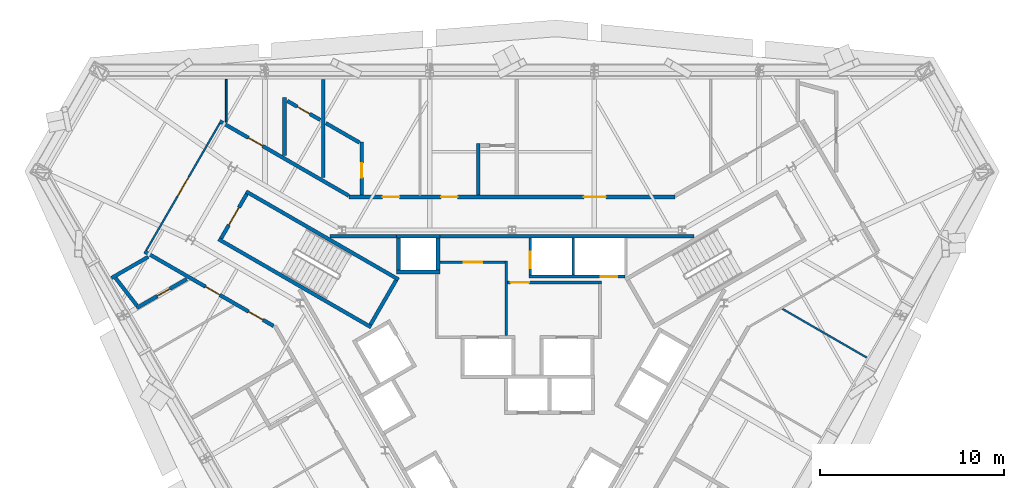
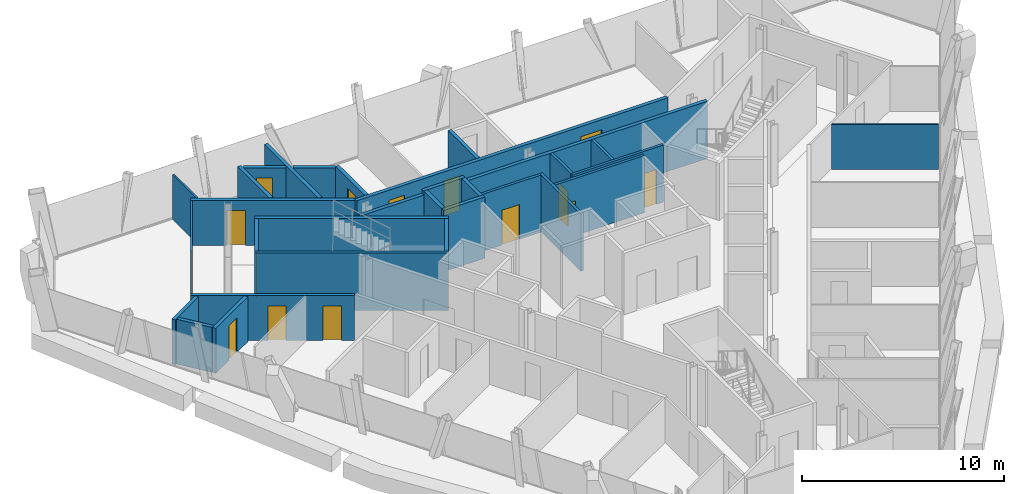
# One storey, part 10 of 13: 31 walls, 15 doors, 15 openings.
"""IFC4 building model written with IfcOpenShell, lengths in metres."""

from ifc_helpers import new_model, si_unit, direction, frame, frame_2d, origin, place, context, subcontext, project, spatial, rectangle, extrude, material, layer, layer_set, type_object, element, fill, save


model = new_model("IFC4")

# Units and contexts
model_context = context("Model", 3, precision=1e-05, world=origin(), true_north=direction((0.0, 1.0)))
body_context = subcontext(model_context, "Body", "Model", "MODEL_VIEW")
ifc_project = project(units=[si_unit("LENGTHUNIT", "METRE"), si_unit("AREAUNIT", "SQUARE_METRE"), si_unit("VOLUMEUNIT", "CUBIC_METRE"), si_unit("PLANEANGLEUNIT", "RADIAN"), si_unit("MASSUNIT", "GRAM", prefix="KILO")], contexts=[model_context])

# Site, building, storey
site_placement = place(None, origin())
site = spatial("IfcSite", under=ifc_project, at=site_placement, CompositionType="ELEMENT")
building_placement = place(site_placement, origin())
building = spatial("IfcBuilding", under=site, at=building_placement, Name="Verrane Prism Tower", CompositionType="ELEMENT")
storey_placement = place(building_placement, frame((0.0, 0.0, 243.39990234375)))
storey = spatial("IfcBuildingStorey", under=building, at=storey_placement, Name="L61", CompositionType="ELEMENT", Elevation=243.39990234375)

# Walls
ifc_material_1 = material(Name="Gypsum board partition", Category="other")
ifc_layer_1 = layer(ifc_material_1, 0.199951171875)
ifc_layer_set_1 = layer_set([ifc_layer_1], Name="CW-200 core boundary wall 2 h")
wall_type_1 = type_object("IfcWallType", Name="CW-200 core boundary wall 2 h", PredefinedType="PARTITIONING", material=ifc_layer_set_1)
wall_1_placement = place(storey_placement, frame((-9.907958984375, 7.659912109375, 0.0), z_axis=(0.0, 0.0, 1.0), x_axis=(1.0, 0.0, 0.0)))
element("IfcWall", 1, at=wall_1_placement, inside=storey, type_object=wall_type_1, Name="Core boundary wall CW3-002", PredefinedType="PARTITIONING", context=body_context, shape_type="SweptSolid", body=[
    extrude(rectangle(XDim=3.620849609375, YDim=0.199951171875, at=frame_2d((1.810546875, 0.0))), origin(), (0.0, 0.0, 1.0), 3.4501953125),
])
wall_2_placement = place(storey_placement, frame((-3.93310546875, 7.659912109375, 0.0), z_axis=(0.0, 0.0, 1.0), x_axis=(1.0, 0.0, 0.0)))
element("IfcWall", 2, at=wall_2_placement, inside=storey, type_object=wall_type_1, Name="Core boundary wall CW3-005", PredefinedType="PARTITIONING", context=body_context, shape_type="SweptSolid", body=[
    extrude(rectangle(XDim=13.841064453125, YDim=0.199951171875, at=frame_2d((6.92041015625, 0.0))), origin(), (0.0, 0.0, 1.0), 3.4501953125),
])

# Wall, opening, door
ifc_material_2 = material(Name="Concrete C40/50", Category="concrete")
ifc_layer_2 = layer(ifc_material_2, 0.199951171875)
ifc_layer_set_2 = layer_set([ifc_layer_2], Name="CW-200 stair core wall concrete C40/50 3 h")
wall_type_2 = type_object("IfcWallType", Name="CW-200 stair core wall concrete C40/50 3 h", PredefinedType="PARTITIONING", material=ifc_layer_set_2)
wall_3_placement = place(storey_placement, frame((-14.455322265625, 9.96240234375, 0.0), z_axis=(0.0, 0.0, 1.0), x_axis=(-0.500049511043, -0.865996816683, 0.0)))
wall_3 = element("IfcWall", 3, at=wall_3_placement, inside=storey, type_object=wall_type_2, Name="Stair 2 enclosure wall", PredefinedType="PARTITIONING", context=body_context, shape_type="SweptSolid", body=[
    extrude(rectangle(XDim=2.800048828125, YDim=0.199951171875, at=frame_2d((1.39990234375, 0.0))), origin(), (0.0, 0.0, 1.0), 3.4501953125),
])
opening_1_placement = place(wall_3_placement, frame((0.849853515625, 0.0, 0.0)))
opening_1 = element("IfcOpeningElement", 4, at=opening_1_placement, cuts=wall_3, Name="Opening D59501", PredefinedType="OPENING", context=body_context, shape_type="SweptSolid", body=[
    extrude(rectangle(XDim=1.10009765625, YDim=2.10009765625, at=frame_2d((0.550048828125, 1.050048828125))), frame((0.0, 0.10986328125, 0.0), z_axis=(0.0, -1.0, 0.0), x_axis=(1.0, 0.0, 0.0)), (0.0, 0.0, 1.0), 0.219970703125),
])
ifc_material_3 = material(Name="Timber veneered door leaf", Category="wood")
door_type_1 = type_object("IfcDoorType", Name="DR-1100x2100 FD90 single leaf stair", OperationType="NOTDEFINED", PredefinedType="DOOR", material=ifc_material_3)
door_1_placement = place(opening_1_placement, origin())
door_1 = element("IfcDoor", 5, at=door_1_placement, inside=storey, type_object=door_type_1, Name="Stair 2 door", OperationType="SINGLE_SWING_RIGHT", OverallHeight=2.10009765625, OverallWidth=1.10009765625, PredefinedType="DOOR", context=body_context, shape_type="SweptSolid", body=[
    extrude(rectangle(XDim=1.10009765625, YDim=2.10009765625, at=frame_2d((0.550048828125, 1.050048828125))), frame((0.0, 0.02490234375, 0.0), z_axis=(0.0, -1.0, 0.0), x_axis=(1.0, 0.0, 0.0)), (0.0, 0.0, 1.0), 0.050048828125),
])
fill(opening_1, door_1)

# Walls
for number, where, z_axis, x_axis, name in (
    (6, (-7.67822265625, 2.700927734375, 0.0), (0.0, 0.0, 1.0), (-0.866019993635, 0.500009370536, 0.0), "Stair 2 enclosure wall"),
    (7, (-6.17822265625, 5.299072265625, 0.0), (0.0, 0.0, 1.0), (-0.866019993635, 0.500009370536, 0.0), "Stair 2 enclosure wall"),
):
    element("IfcWall", number, at=place(storey_placement, frame(where, z_axis=z_axis, x_axis=x_axis)), inside=storey, type_object=wall_type_2, Name=name, PredefinedType="PARTITIONING", context=body_context, shape_type="SweptSolid", body=[
        extrude(rectangle(XDim=9.599853515625, YDim=0.199951171875, at=frame_2d((4.7998046875, 0.0))), origin(), (0.0, 0.0, 1.0), 3.4501953125),
    ])
wall_4_placement = place(storey_placement, frame((-6.314697265625, 5.262451171875, 0.0), z_axis=(0.0, 0.0, 1.0), x_axis=(-0.500049511043, -0.865996816683, 0.0)))
element("IfcWall", 8, at=wall_4_placement, inside=storey, type_object=wall_type_2, Name="Stair 2 enclosure wall", PredefinedType="PARTITIONING", context=body_context, shape_type="SweptSolid", body=[
    extrude(rectangle(XDim=2.800048828125, YDim=0.199951171875, at=frame_2d((1.39990234375, 0.0))), origin(), (0.0, 0.0, 1.0), 3.4501953125),
])
ifc_material_4 = material(Name="Gypsum board shaft wall assembly", Category="other")
ifc_layer_3 = layer(ifc_material_4, 0.199951171875)
ifc_layer_set_3 = layer_set([ifc_layer_3], Name="HW-200 lift shaft wall 2 h")
wall_type_3 = type_object("IfcWallType", Name="HW-200 lift shaft wall 2 h", PredefinedType="PARTITIONING", material=ifc_layer_set_3)
for number, where, z_axis, x_axis, name in (
    (9, (-6.284912109375, 5.7099609375, 0.0), (0.0, 0.0, 1.0), (1.0, 0.0, 0.0), "Lift shaft wall"),
    (10, (-6.284912109375, 7.659912109375, 0.0), (0.0, 0.0, 1.0), (1.0, 0.0, 0.0), "Lift shaft wall"),
):
    element("IfcWall", number, at=place(storey_placement, frame(where, z_axis=z_axis, x_axis=x_axis)), inside=storey, type_object=wall_type_3, Name=name, PredefinedType="PARTITIONING", context=body_context, shape_type="SweptSolid", body=[
        extrude(rectangle(XDim=2.349853515625, YDim=0.199951171875, at=frame_2d((1.1748046875, 0.0))), origin(), (0.0, 0.0, 1.0), 3.7001953125),
    ])
for number, where, z_axis, x_axis, name in (
    (11, (-4.034912109375, 5.81005859375, 0.0), (0.0, 0.0, 1.0), (0.0, 1.0, 0.0), "Lift shaft wall"),
    (12, (-6.18505859375, 5.81005859375, 0.0), (0.0, 0.0, 1.0), (0.0, 1.0, 0.0), "Lift shaft wall"),
):
    element("IfcWall", number, at=place(storey_placement, frame(where, z_axis=z_axis, x_axis=x_axis)), inside=storey, type_object=wall_type_3, Name=name, PredefinedType="PARTITIONING", context=body_context, shape_type="SweptSolid", body=[
        extrude(rectangle(XDim=1.75, YDim=0.199951171875, at=frame_2d((0.875, 0.0))), origin(), (0.0, 0.0, 1.0), 3.7001953125),
    ])

# Wall, opening, door
ifc_material_5 = material(Name="Gypsum board partition", Category="other")
ifc_layer_4 = layer(ifc_material_5, 0.14990234375)
ifc_layer_set_4 = layer_set([ifc_layer_4], Name="LF-150 firefighting lobby wall 1 h")
wall_type_4 = type_object("IfcWallType", Name="LF-150 firefighting lobby wall 1 h", PredefinedType="PARTITIONING", material=ifc_layer_set_4)
wall_5_placement = place(storey_placement, frame((-3.93310546875, 6.239990234375, 0.0), z_axis=(0.0, 0.0, 1.0), x_axis=(1.0, 0.0, 0.0)))
wall_5 = element("IfcWall", 13, at=wall_5_placement, inside=storey, type_object=wall_type_4, Name="Firefighting lobby wall LF1-003", PredefinedType="PARTITIONING", context=body_context, shape_type="SweptSolid", body=[
    extrude(rectangle(XDim=3.5380859375, YDim=0.14990234375, at=frame_2d((1.76904296875, 0.0))), origin(), (0.0, 0.0, 1.0), 3.4501953125),
])
opening_2_placement = place(wall_5_placement, frame((1.300048828125, 0.0, 0.0)))
opening_2 = element("IfcOpeningElement", 14, at=opening_2_placement, cuts=wall_5, Name="Opening D59511", PredefinedType="OPENING", context=body_context, shape_type="SweptSolid", body=[
    extrude(rectangle(XDim=1.0, YDim=2.10009765625, at=frame_2d((0.5, 1.050048828125))), frame((0.0, 0.0849609375, 0.0), z_axis=(0.0, -1.0, 0.0), x_axis=(1.0, 0.0, 0.0)), (0.0, 0.0, 1.0), 0.169921875),
])
ifc_material_6 = material(Name="Timber veneered door leaf", Category="wood")
door_type_2 = type_object("IfcDoorType", Name="DR-1000x2100 FD60 single leaf firefighting lobby", OperationType="NOTDEFINED", PredefinedType="DOOR", material=ifc_material_6)
door_2_placement = place(opening_2_placement, origin())
door_2 = element("IfcDoor", 15, at=door_2_placement, inside=storey, type_object=door_type_2, Name="Firefighting lobby door D59511", OperationType="SINGLE_SWING_LEFT", OverallHeight=2.10009765625, OverallWidth=1.0, PredefinedType="DOOR", context=body_context, shape_type="SweptSolid", body=[
    extrude(rectangle(XDim=1.0, YDim=2.10009765625, at=frame_2d((0.5, 1.050048828125))), frame((0.0, 0.02490234375, 0.0), z_axis=(0.0, -1.0, 0.0), x_axis=(1.0, 0.0, 0.0)), (0.0, 0.0, 1.0), 0.050048828125),
])
fill(opening_2, door_2)

# Wall
wall_6_placement = place(storey_placement, frame((-0.320068359375, 2.251953125, 0.0), z_axis=(0.0, 0.0, 1.0), x_axis=(0.0, 1.0, 0.0)))
element("IfcWall", 16, at=wall_6_placement, inside=storey, type_object=wall_type_4, Name="Firefighting lobby wall LF1-004", PredefinedType="PARTITIONING", context=body_context, shape_type="SweptSolid", body=[
    extrude(rectangle(XDim=4.06298828125, YDim=0.14990234375, at=frame_2d((2.031494140625, 0.0))), origin(), (0.0, 0.0, 1.0), 3.4501953125),
])

# Wall, opening, door
wall_7_placement = place(storey_placement, frame((-0.2451171875, 5.139892578125, 0.0), z_axis=(0.0, 0.0, 1.0), x_axis=(1.0, 0.0, 0.0)))
wall_7 = element("IfcWall", 17, at=wall_7_placement, inside=storey, type_object=wall_type_4, Name="Firefighting lobby wall LF1-005", PredefinedType="PARTITIONING", context=body_context, shape_type="SweptSolid", body=[
    extrude(rectangle(XDim=5.110107421875, YDim=0.14990234375, at=frame_2d((2.55517578125, 0.0))), origin(), (0.0, 0.0, 1.0), 3.4501953125),
])
opening_3_placement = place(wall_7_placement, frame((0.175048828125, 0.0, 0.0)))
opening_3 = element("IfcOpeningElement", 18, at=opening_3_placement, cuts=wall_7, Name="Opening D59512", PredefinedType="OPENING", context=body_context, shape_type="SweptSolid", body=[
    extrude(rectangle(XDim=1.0, YDim=2.10009765625, at=frame_2d((0.5, 1.050048828125))), frame((0.0, 0.0849609375, 0.0), z_axis=(0.0, -1.0, 0.0), x_axis=(1.0, 0.0, 0.0)), (0.0, 0.0, 1.0), 0.169921875),
])
door_3_placement = place(opening_3_placement, origin())
door_3 = element("IfcDoor", 19, at=door_3_placement, inside=storey, type_object=door_type_2, Name="Firefighting lobby door D59512", OperationType="SINGLE_SWING_LEFT", OverallHeight=2.10009765625, OverallWidth=1.0, PredefinedType="DOOR", context=body_context, shape_type="SweptSolid", body=[
    extrude(rectangle(XDim=1.0, YDim=2.10009765625, at=frame_2d((0.5, 1.050048828125))), frame((0.0, 0.02490234375, 0.0), z_axis=(0.0, -1.0, 0.0), x_axis=(1.0, 0.0, 0.0)), (0.0, 0.0, 1.0), 0.050048828125),
])
fill(opening_3, door_3)

ifc_material_7 = material(Name="Gypsum board partition", Category="other")
ifc_layer_5 = layer(ifc_material_7, 0.10009765625)
ifc_layer_set_5 = layer_set([ifc_layer_5], Name="PW-100 room partition")
wall_type_5 = type_object("IfcWallType", Name="PW-100 room partition", PredefinedType="PARTITIONING", material=ifc_layer_set_5)
wall_8_placement = place(storey_placement, frame((-19.929931640625, 6.8876953125, 0.0), z_axis=(0.0, 0.0, 1.0), x_axis=(0.500420003794, 0.865782778648, 0.0)))
wall_8 = element("IfcWall", 20, at=wall_8_placement, inside=storey, type_object=wall_type_5, Name="Room partition 004", PredefinedType="PARTITIONING", context=body_context, shape_type="SweptSolid", body=[
    extrude(rectangle(XDim=7.9970703125, YDim=0.10009765625, at=frame_2d((3.99853515625, 0.0))), origin(), (0.0, 0.0, 1.0), 2.713134765625),
])
opening_4_placement = place(wall_8_placement, frame((3.39990234375, 0.0, 0.0)))
opening_4 = element("IfcOpeningElement", 21, at=opening_4_placement, cuts=wall_8, Name="Opening D59011", PredefinedType="OPENING", context=body_context, shape_type="SweptSolid", body=[
    extrude(rectangle(XDim=1.199951171875, YDim=2.10009765625, at=frame_2d((0.60009765625, 1.050048828125))), frame((0.0, 0.06005859375, 0.0), z_axis=(0.0, -1.0, 0.0), x_axis=(1.0, 0.0, 0.0)), (0.0, 0.0, 1.0), 0.1201171875),
])
ifc_material_8 = material(Name="Timber veneered door leaf", Category="wood")
door_type_3 = type_object("IfcDoorType", Name="DR-1200x2100 single leaf unit", OperationType="NOTDEFINED", PredefinedType="DOOR", material=ifc_material_8)
door_4_placement = place(opening_4_placement, origin())
door_4 = element("IfcDoor", 22, at=door_4_placement, inside=storey, type_object=door_type_3, Name="Living And Dining Room door", OperationType="SINGLE_SWING_LEFT", OverallHeight=2.10009765625, OverallWidth=1.199951171875, PredefinedType="DOOR", context=body_context, shape_type="SweptSolid", body=[
    extrude(rectangle(XDim=1.199951171875, YDim=2.10009765625, at=frame_2d((0.60009765625, 1.050048828125))), frame((0.0, 0.02490234375, 0.0), z_axis=(0.0, -1.0, 0.0), x_axis=(1.0, 0.0, 0.0)), (0.0, 0.0, 1.0), 0.050048828125),
])
fill(opening_4, door_4)

# Walls
wall_9_placement = place(storey_placement, frame((-15.572998046875, 13.8662109375, 0.0), z_axis=(0.0, 0.0, 1.0), x_axis=(0.0, 1.0, 0.0)))
element("IfcWall", 23, at=wall_9_placement, inside=storey, type_object=wall_type_5, Name="Room partition 009", PredefinedType="PARTITIONING", context=body_context, shape_type="SweptSolid", body=[
    extrude(rectangle(XDim=2.33984375, YDim=0.10009765625, at=frame_2d((1.169921875, 0.0))), origin(), (0.0, 0.0, 1.0), 2.713134765625),
])
wall_10_placement = place(storey_placement, frame((14.748046875, 3.694580078125, 0.0), z_axis=(0.0, 0.0, 1.0), x_axis=(0.86599232748, -0.500057285464, 0.0)))
element("IfcWall", 24, at=wall_10_placement, inside=storey, type_object=wall_type_5, Name="Room partition 051", PredefinedType="PARTITIONING", context=body_context, shape_type="SweptSolid", body=[
    extrude(rectangle(XDim=5.28076171875, YDim=0.10009765625, at=frame_2d((2.640380859375, 0.0))), origin(), (0.0, 0.0, 1.0), 2.713134765625),
])
ifc_material_9 = material(Name="Gypsum board partition", Category="other")
ifc_layer_6 = layer(ifc_material_9, 0.199951171875)
ifc_layer_set_6 = layer_set([ifc_layer_6], Name="PW-200 plumbing wall")
wall_type_6 = type_object("IfcWallType", Name="PW-200 plumbing wall", PredefinedType="PARTITIONING", material=ifc_layer_set_6)
wall_11_placement = place(storey_placement, frame((-21.821044921875, 5.384033203125, 0.0), z_axis=(0.0, 0.0, 1.0), x_axis=(0.866178541367, 0.499734664072, 0.0)))
element("IfcWall", 25, at=wall_11_placement, inside=storey, type_object=wall_type_6, Name="Plumbing wall 001", PredefinedType="PARTITIONING", context=body_context, shape_type="SweptSolid", body=[
    extrude(rectangle(XDim=2.307861328125, YDim=0.199951171875, at=frame_2d((1.15380859375, 0.0))), origin(), (0.0, 0.0, 1.0), 2.713134765625),
])
wall_12_placement = place(storey_placement, frame((-21.6015625, 5.37841796875, 0.0), z_axis=(0.0, 0.0, 1.0), x_axis=(0.613269592497, -0.789873665163, 0.0)))
element("IfcWall", 26, at=wall_12_placement, inside=storey, type_object=wall_type_6, Name="Plumbing wall 002", PredefinedType="PARTITIONING", context=body_context, shape_type="SweptSolid", body=[
    extrude(rectangle(XDim=1.8896484375, YDim=0.199951171875, at=frame_2d((0.94482421875, 0.0))), origin(), (0.0, 0.0, 1.0), 2.713134765625),
])

# Wall, opening, door
wall_13_placement = place(storey_placement, frame((-20.45849609375, 3.744873046875, 0.0), z_axis=(0.0, 0.0, 1.0), x_axis=(0.865942402911, 0.500143734182, 0.0)))
wall_13 = element("IfcWall", 27, at=wall_13_placement, inside=storey, type_object=wall_type_6, Name="Plumbing wall 003", PredefinedType="PARTITIONING", context=body_context, shape_type="SweptSolid", body=[
    extrude(rectangle(XDim=3.16015625, YDim=0.199951171875, at=frame_2d((1.580078125, 0.0))), origin(), (0.0, 0.0, 1.0), 2.713134765625),
])
opening_5_placement = place(wall_13_placement, frame((1.300048828125, 0.0, 0.0)))
opening_5 = element("IfcOpeningElement", 28, at=opening_5_placement, cuts=wall_13, Name="Opening D59013", PredefinedType="OPENING", context=body_context, shape_type="SweptSolid", body=[
    extrude(rectangle(XDim=0.800048828125, YDim=2.10009765625, at=frame_2d((0.39990234375, 1.050048828125))), frame((0.0, 0.10986328125, 0.0), z_axis=(0.0, -1.0, 0.0), x_axis=(1.0, 0.0, 0.0)), (0.0, 0.0, 1.0), 0.219970703125),
])
ifc_material_10 = material(Name="Timber veneered door leaf", Category="wood")
door_type_4 = type_object("IfcDoorType", Name="DR-800x2100 single leaf bath", OperationType="NOTDEFINED", PredefinedType="DOOR", material=ifc_material_10)
door_5_placement = place(opening_5_placement, origin())
door_5 = element("IfcDoor", 29, at=door_5_placement, inside=storey, type_object=door_type_4, Name="Bathroom door", OperationType="SINGLE_SWING_LEFT", OverallHeight=2.10009765625, OverallWidth=0.800048828125, PredefinedType="DOOR", context=body_context, shape_type="SweptSolid", body=[
    extrude(rectangle(XDim=0.800048828125, YDim=2.10009765625, at=frame_2d((0.39990234375, 1.050048828125))), frame((0.0, 0.02490234375, 0.0), z_axis=(0.0, -1.0, 0.0), x_axis=(1.0, 0.0, 0.0)), (0.0, 0.0, 1.0), 0.050048828125),
])
fill(opening_5, door_5)

# Wall, openings, doors
wall_14_placement = place(storey_placement, frame((-12.994873046875, 2.76953125, 0.0), z_axis=(0.0, 0.0, 1.0), x_axis=(-0.866100425926, 0.499870035319, 0.0)))
wall_14 = element("IfcWall", 30, at=wall_14_placement, inside=storey, type_object=wall_type_6, Name="Plumbing wall 005", PredefinedType="PARTITIONING", context=body_context, shape_type="SweptSolid", body=[
    extrude(rectangle(XDim=8.114990234375, YDim=0.199951171875, at=frame_2d((4.0576171875, 0.0))), origin(), (0.0, 0.0, 1.0), 2.713134765625),
])
opening_6_placement = place(wall_14_placement, frame((3.385009765625, 0.0, 0.0)))
opening_6 = element("IfcOpeningElement", 31, at=opening_6_placement, cuts=wall_14, Name="Opening D59012", PredefinedType="OPENING", context=body_context, shape_type="SweptSolid", body=[
    extrude(rectangle(XDim=0.89990234375, YDim=2.10009765625, at=frame_2d((0.449951171875, 1.050048828125))), frame((0.0, 0.10986328125, 0.0), z_axis=(0.0, -1.0, 0.0), x_axis=(1.0, 0.0, 0.0)), (0.0, 0.0, 1.0), 0.219970703125),
])
opening_7_placement = place(wall_14_placement, frame((0.6650390625, 0.0, 0.0)))
opening_7 = element("IfcOpeningElement", 32, at=opening_7_placement, cuts=wall_14, Name="Opening D59014", PredefinedType="OPENING", context=body_context, shape_type="SweptSolid", body=[
    extrude(rectangle(XDim=0.89990234375, YDim=2.10009765625, at=frame_2d((0.449951171875, 1.050048828125))), frame((0.0, 0.10986328125, 0.0), z_axis=(0.0, -1.0, 0.0), x_axis=(1.0, 0.0, 0.0)), (0.0, 0.0, 1.0), 0.219970703125),
])
ifc_material_11 = material(Name="Timber veneered door leaf", Category="wood")
door_type_5 = type_object("IfcDoorType", Name="DR-900x2100 single leaf inner", OperationType="NOTDEFINED", PredefinedType="DOOR", material=ifc_material_11)
door_6_placement = place(opening_6_placement, origin())
door_6 = element("IfcDoor", 33, at=door_6_placement, inside=storey, type_object=door_type_5, Name="Bedroom door", OperationType="SINGLE_SWING_LEFT", OverallHeight=2.10009765625, OverallWidth=0.89990234375, PredefinedType="DOOR", context=body_context, shape_type="SweptSolid", body=[
    extrude(rectangle(XDim=0.89990234375, YDim=2.10009765625, at=frame_2d((0.449951171875, 1.050048828125))), frame((0.0, 0.02490234375, 0.0), z_axis=(0.0, -1.0, 0.0), x_axis=(1.0, 0.0, 0.0)), (0.0, 0.0, 1.0), 0.050048828125),
])
fill(opening_6, door_6)
ifc_material_12 = material(Name="Timber veneered door leaf", Category="wood")
door_type_6 = type_object("IfcDoorType", Name="DR-900x2100 single leaf unit", OperationType="NOTDEFINED", PredefinedType="DOOR", material=ifc_material_12)
door_7_placement = place(opening_7_placement, origin())
door_7 = element("IfcDoor", 34, at=door_7_placement, inside=storey, type_object=door_type_6, Name="Kitchen door", OperationType="SINGLE_SWING_LEFT", OverallHeight=2.10009765625, OverallWidth=0.89990234375, PredefinedType="DOOR", context=body_context, shape_type="SweptSolid", body=[
    extrude(rectangle(XDim=0.89990234375, YDim=2.10009765625, at=frame_2d((0.449951171875, 1.050048828125))), frame((0.0, 0.02490234375, 0.0), z_axis=(0.0, -1.0, 0.0), x_axis=(1.0, 0.0, 0.0)), (0.0, 0.0, 1.0), 0.050048828125),
])
fill(opening_7, door_7)

# Wall, opening, door
wall_15_placement = place(storey_placement, frame((-15.92138671875, 13.923095703125, 0.0), z_axis=(0.0, 0.0, 1.0), x_axis=(0.866079355551, -0.499906541154, 0.0)))
wall_15 = element("IfcWall", 35, at=wall_15_placement, inside=storey, type_object=wall_type_6, Name="Plumbing wall 008", PredefinedType="PARTITIONING", context=body_context, shape_type="SweptSolid", body=[
    extrude(rectangle(XDim=8.11279296875, YDim=0.199951171875, at=frame_2d((4.056396484375, 0.0))), origin(), (0.0, 0.0, 1.0), 2.713134765625),
])
opening_8_placement = place(wall_15_placement, frame((1.802001953125, 0.0, 0.0)))
opening_8 = element("IfcOpeningElement", 36, at=opening_8_placement, cuts=wall_15, Name="Opening D59009", PredefinedType="OPENING", context=body_context, shape_type="SweptSolid", body=[
    extrude(rectangle(XDim=0.89990234375, YDim=2.10009765625, at=frame_2d((0.449951171875, 1.050048828125))), frame((0.0, 0.10986328125, 0.0), z_axis=(0.0, -1.0, 0.0), x_axis=(1.0, 0.0, 0.0)), (0.0, 0.0, 1.0), 0.219970703125),
])
door_8_placement = place(opening_8_placement, origin())
door_8 = element("IfcDoor", 37, at=door_8_placement, inside=storey, type_object=door_type_5, Name="Bedroom door", OperationType="SINGLE_SWING_LEFT", OverallHeight=2.10009765625, OverallWidth=0.89990234375, PredefinedType="DOOR", context=body_context, shape_type="SweptSolid", body=[
    extrude(rectangle(XDim=0.89990234375, YDim=2.10009765625, at=frame_2d((0.449951171875, 1.050048828125))), frame((0.0, 0.02490234375, 0.0), z_axis=(0.0, -1.0, 0.0), x_axis=(1.0, 0.0, 0.0)), (0.0, 0.0, 1.0), 0.050048828125),
])
fill(opening_8, door_8)

# Wall
wall_16_placement = place(storey_placement, frame((-12.39404296875, 12.06005859375, 0.0), z_axis=(0.0, 0.0, 1.0), x_axis=(0.0, 1.0, 0.0)))
element("IfcWall", 38, at=wall_16_placement, inside=storey, type_object=wall_type_6, Name="Plumbing wall 014", PredefinedType="PARTITIONING", context=body_context, shape_type="SweptSolid", body=[
    extrude(rectangle(XDim=3.159912109375, YDim=0.199951171875, at=frame_2d((1.580078125, 0.0))), origin(), (0.0, 0.0, 1.0), 2.713134765625),
])

# Wall, opening, door
wall_17_placement = place(storey_placement, frame((-10.444091796875, 13.99462890625, 0.0), z_axis=(0.0, 0.0, 1.0), x_axis=(-0.866134808485, 0.499810457605, 0.0)))
wall_17 = element("IfcWall", 39, at=wall_17_placement, inside=storey, type_object=wall_type_6, Name="Plumbing wall 015", PredefinedType="PARTITIONING", context=body_context, shape_type="SweptSolid", body=[
    extrude(rectangle(XDim=2.081298828125, YDim=0.199951171875, at=frame_2d((1.04052734375, 0.0))), origin(), (0.0, 0.0, 1.0), 2.713134765625),
])
opening_9_placement = place(wall_17_placement, frame((0.6513671875, 0.0, 0.0)))
opening_9 = element("IfcOpeningElement", 40, at=opening_9_placement, cuts=wall_17, Name="Opening D59010", PredefinedType="OPENING", context=body_context, shape_type="SweptSolid", body=[
    extrude(rectangle(XDim=0.800048828125, YDim=2.10009765625, at=frame_2d((0.39990234375, 1.050048828125))), frame((0.0, 0.10986328125, 0.0), z_axis=(0.0, -1.0, 0.0), x_axis=(1.0, 0.0, 0.0)), (0.0, 0.0, 1.0), 0.219970703125),
])
door_9_placement = place(opening_9_placement, origin())
door_9 = element("IfcDoor", 41, at=door_9_placement, inside=storey, type_object=door_type_4, Name="Bathroom door", OperationType="SINGLE_SWING_LEFT", OverallHeight=2.10009765625, OverallWidth=0.800048828125, PredefinedType="DOOR", context=body_context, shape_type="SweptSolid", body=[
    extrude(rectangle(XDim=0.800048828125, YDim=2.10009765625, at=frame_2d((0.39990234375, 1.050048828125))), frame((0.0, 0.02490234375, 0.0), z_axis=(0.0, -1.0, 0.0), x_axis=(1.0, 0.0, 0.0)), (0.0, 0.0, 1.0), 0.050048828125),
])
fill(opening_9, door_9)

# Walls
wall_18_placement = place(storey_placement, frame((-10.2939453125, 10.84814453125, 0.0), z_axis=(0.0, 0.0, 1.0), x_axis=(0.0, 1.0, 0.0)))
element("IfcWall", 42, at=wall_18_placement, inside=storey, type_object=wall_type_6, Name="Plumbing wall 017", PredefinedType="PARTITIONING", context=body_context, shape_type="SweptSolid", body=[
    extrude(rectangle(XDim=5.35791015625, YDim=0.199951171875, at=frame_2d((2.678955078125, 0.0))), origin(), (0.0, 0.0, 1.0), 2.713134765625),
])
wall_19_placement = place(storey_placement, frame((-10.14404296875, 13.821533203125, 0.0), z_axis=(0.0, 0.0, 1.0), x_axis=(0.866062654302, -0.49993547466, 0.0)))
element("IfcWall", 43, at=wall_19_placement, inside=storey, type_object=wall_type_6, Name="Plumbing wall 018", PredefinedType="PARTITIONING", context=body_context, shape_type="SweptSolid", body=[
    extrude(rectangle(XDim=2.116455078125, YDim=0.199951171875, at=frame_2d((1.05810546875, 0.0))), origin(), (0.0, 0.0, 1.0), 2.713134765625),
])

# Wall, openings, doors
wall_20_placement = place(storey_placement, frame((-8.8779296875, 9.800048828125, 0.0), z_axis=(0.0, 0.0, 1.0), x_axis=(1.0, 0.0, 0.0)))
wall_20 = element("IfcWall", 44, at=wall_20_placement, inside=storey, type_object=wall_type_6, Name="Plumbing wall 020", PredefinedType="PARTITIONING", context=body_context, shape_type="SweptSolid", body=[
    extrude(rectangle(XDim=17.755859375, YDim=0.199951171875, at=frame_2d((8.8779296875, 0.0))), origin(), (0.0, 0.0, 1.0), 2.713134765625),
])
opening_10_placement = place(wall_20_placement, frame((12.7919921875, 0.0, 0.0)))
opening_10 = element("IfcOpeningElement", 45, at=opening_10_placement, cuts=wall_20, Name="Opening D59004", PredefinedType="OPENING", context=body_context, shape_type="SweptSolid", body=[
    extrude(rectangle(XDim=1.199951171875, YDim=2.10009765625, at=frame_2d((0.60009765625, 1.050048828125))), frame((0.0, 0.10986328125, 0.0), z_axis=(0.0, -1.0, 0.0), x_axis=(1.0, 0.0, 0.0)), (0.0, 0.0, 1.0), 0.219970703125),
])
opening_11_placement = place(wall_20_placement, frame((5.012939453125, 0.0, 0.0)))
opening_11 = element("IfcOpeningElement", 46, at=opening_11_placement, cuts=wall_20, Name="Opening D59005", PredefinedType="OPENING", context=body_context, shape_type="SweptSolid", body=[
    extrude(rectangle(XDim=0.89990234375, YDim=2.10009765625, at=frame_2d((0.449951171875, 1.050048828125))), frame((0.0, 0.10986328125, 0.0), z_axis=(0.0, -1.0, 0.0), x_axis=(1.0, 0.0, 0.0)), (0.0, 0.0, 1.0), 0.219970703125),
])
opening_12_placement = place(wall_20_placement, frame((1.833984375, 0.0, 0.0)))
opening_12 = element("IfcOpeningElement", 47, at=opening_12_placement, cuts=wall_20, Name="Opening D59007", PredefinedType="OPENING", context=body_context, shape_type="SweptSolid", body=[
    extrude(rectangle(XDim=0.89990234375, YDim=2.10009765625, at=frame_2d((0.449951171875, 1.050048828125))), frame((0.0, 0.10986328125, 0.0), z_axis=(0.0, -1.0, 0.0), x_axis=(1.0, 0.0, 0.0)), (0.0, 0.0, 1.0), 0.219970703125),
])
door_10_placement = place(opening_10_placement, origin())
door_10 = element("IfcDoor", 48, at=door_10_placement, inside=storey, type_object=door_type_3, Name="Living And Dining Room door", OperationType="SINGLE_SWING_RIGHT", OverallHeight=2.10009765625, OverallWidth=1.199951171875, PredefinedType="DOOR", context=body_context, shape_type="SweptSolid", body=[
    extrude(rectangle(XDim=1.199951171875, YDim=2.10009765625, at=frame_2d((0.60009765625, 1.050048828125))), frame((0.0, 0.02490234375, 0.0), z_axis=(0.0, -1.0, 0.0), x_axis=(1.0, 0.0, 0.0)), (0.0, 0.0, 1.0), 0.050048828125),
])
fill(opening_10, door_10)
door_11_placement = place(opening_11_placement, origin())
door_11 = element("IfcDoor", 49, at=door_11_placement, inside=storey, type_object=door_type_5, Name="Bedroom door", OperationType="SINGLE_SWING_LEFT", OverallHeight=2.10009765625, OverallWidth=0.89990234375, PredefinedType="DOOR", context=body_context, shape_type="SweptSolid", body=[
    extrude(rectangle(XDim=0.89990234375, YDim=2.10009765625, at=frame_2d((0.449951171875, 1.050048828125))), frame((0.0, 0.02490234375, 0.0), z_axis=(0.0, -1.0, 0.0), x_axis=(1.0, 0.0, 0.0)), (0.0, 0.0, 1.0), 0.050048828125),
])
fill(opening_11, door_11)
door_12_placement = place(opening_12_placement, origin())
door_12 = element("IfcDoor", 50, at=door_12_placement, inside=storey, type_object=door_type_5, Name="Bedroom door", OperationType="SINGLE_SWING_LEFT", OverallHeight=2.10009765625, OverallWidth=0.89990234375, PredefinedType="DOOR", context=body_context, shape_type="SweptSolid", body=[
    extrude(rectangle(XDim=0.89990234375, YDim=2.10009765625, at=frame_2d((0.449951171875, 1.050048828125))), frame((0.0, 0.02490234375, 0.0), z_axis=(0.0, -1.0, 0.0), x_axis=(1.0, 0.0, 0.0)), (0.0, 0.0, 1.0), 0.050048828125),
])
fill(opening_12, door_12)

# Wall, opening, door
wall_21_placement = place(storey_placement, frame((-8.194091796875, 9.89990234375, 0.0), z_axis=(0.0, 0.0, 1.0), x_axis=(0.0, 1.0, 0.0)))
wall_21 = element("IfcWall", 51, at=wall_21_placement, inside=storey, type_object=wall_type_6, Name="Plumbing wall 021", PredefinedType="PARTITIONING", context=body_context, shape_type="SweptSolid", body=[
    extrude(rectangle(XDim=2.89599609375, YDim=0.199951171875, at=frame_2d((1.447998046875, 0.0))), origin(), (0.0, 0.0, 1.0), 2.713134765625),
])
opening_13_placement = place(wall_21_placement, frame((0.949951171875, 0.0, 0.0)))
opening_13 = element("IfcOpeningElement", 52, at=opening_13_placement, cuts=wall_21, Name="Opening D59008", PredefinedType="OPENING", context=body_context, shape_type="SweptSolid", body=[
    extrude(rectangle(XDim=0.800048828125, YDim=2.10009765625, at=frame_2d((0.39990234375, 1.050048828125))), frame((0.0, 0.10986328125, 0.0), z_axis=(0.0, -1.0, 0.0), x_axis=(1.0, 0.0, 0.0)), (0.0, 0.0, 1.0), 0.219970703125),
])
door_13_placement = place(opening_13_placement, origin())
door_13 = element("IfcDoor", 53, at=door_13_placement, inside=storey, type_object=door_type_4, Name="Bathroom door", OperationType="SINGLE_SWING_RIGHT", OverallHeight=2.10009765625, OverallWidth=0.800048828125, PredefinedType="DOOR", context=body_context, shape_type="SweptSolid", body=[
    extrude(rectangle(XDim=0.800048828125, YDim=2.10009765625, at=frame_2d((0.39990234375, 1.050048828125))), frame((0.0, 0.02490234375, 0.0), z_axis=(0.0, -1.0, 0.0), x_axis=(1.0, 0.0, 0.0)), (0.0, 0.0, 1.0), 0.050048828125),
])
fill(opening_13, door_13)

# Wall
wall_22_placement = place(storey_placement, frame((-1.8359375, 9.89990234375, 0.0), z_axis=(0.0, 0.0, 1.0), x_axis=(0.0, 1.0, 0.0)))
element("IfcWall", 54, at=wall_22_placement, inside=storey, type_object=wall_type_6, Name="Plumbing wall 030", PredefinedType="PARTITIONING", context=body_context, shape_type="SweptSolid", body=[
    extrude(rectangle(XDim=2.800048828125, YDim=0.199951171875, at=frame_2d((1.39990234375, 0.0))), origin(), (0.0, 0.0, 1.0), 2.713134765625),
])

# Wall, opening, door
ifc_material_13 = material(Name="Gypsum board partition", Category="other")
ifc_layer_7 = layer(ifc_material_13, 0.14990234375)
ifc_layer_set_7 = layer_set([ifc_layer_7], Name="RS-150 riser enclosure wall 1 h")
wall_type_7 = type_object("IfcWallType", Name="RS-150 riser enclosure wall 1 h", PredefinedType="PARTITIONING", material=ifc_layer_set_7)
wall_23_placement = place(storey_placement, frame((1.0, 7.56005859375, 0.0), z_axis=(0.0, 0.0, 1.0), x_axis=(0.0, -1.0, 0.0)))
wall_23 = element("IfcWall", 55, at=wall_23_placement, inside=storey, type_object=wall_type_7, Name="Riser wall RS3-001", PredefinedType="PARTITIONING", context=body_context, shape_type="SweptSolid", body=[
    extrude(rectangle(XDim=2.025146484375, YDim=0.14990234375, at=frame_2d((1.0126953125, 0.0))), origin(), (0.0, 0.0, 1.0), 3.4501953125),
])
opening_14_placement = place(wall_23_placement, frame((0.75, 0.0, 0.0)))
opening_14 = element("IfcOpeningElement", 56, at=opening_14_placement, cuts=wall_23, Name="Opening D59513", PredefinedType="OPENING", context=body_context, shape_type="SweptSolid", body=[
    extrude(rectangle(XDim=0.89990234375, YDim=2.10009765625, at=frame_2d((0.449951171875, 1.050048828125))), frame((0.0, 0.0849609375, 0.0), z_axis=(0.0, -1.0, 0.0), x_axis=(1.0, 0.0, 0.0)), (0.0, 0.0, 1.0), 0.169921875),
])
ifc_material_14 = material(Name="Timber veneered door leaf", Category="wood")
door_type_7 = type_object("IfcDoorType", Name="DR-900x2100 FD60 single leaf riser", OperationType="NOTDEFINED", PredefinedType="DOOR", material=ifc_material_14)
door_14_placement = place(opening_14_placement, origin())
door_14 = element("IfcDoor", 57, at=door_14_placement, inside=storey, type_object=door_type_7, Name="Riser door D59513", OperationType="SINGLE_SWING_RIGHT", OverallHeight=2.10009765625, OverallWidth=0.89990234375, PredefinedType="DOOR", context=body_context, shape_type="SweptSolid", body=[
    extrude(rectangle(XDim=0.89990234375, YDim=2.10009765625, at=frame_2d((0.449951171875, 1.050048828125))), frame((0.0, 0.02490234375, 0.0), z_axis=(0.0, -1.0, 0.0), x_axis=(1.0, 0.0, 0.0)), (0.0, 0.0, 1.0), 0.050048828125),
])
fill(opening_14, door_14)

wall_24_placement = place(storey_placement, frame((0.925048828125, 5.4599609375, 0.0), z_axis=(0.0, 0.0, 1.0), x_axis=(1.0, 0.0, 0.0)))
wall_24 = element("IfcWall", 58, at=wall_24_placement, inside=storey, type_object=wall_type_7, Name="Riser wall RS3-002", PredefinedType="PARTITIONING", context=body_context, shape_type="SweptSolid", body=[
    extrude(rectangle(XDim=5.219970703125, YDim=0.14990234375, at=frame_2d((2.60986328125, 0.0))), origin(), (0.0, 0.0, 1.0), 3.4501953125),
])
opening_15_placement = place(wall_24_placement, frame((3.9150390625, 0.0, 0.0)))
opening_15 = element("IfcOpeningElement", 59, at=opening_15_placement, cuts=wall_24, Name="Opening D59514", PredefinedType="OPENING", context=body_context, shape_type="SweptSolid", body=[
    extrude(rectangle(XDim=0.89990234375, YDim=2.10009765625, at=frame_2d((0.449951171875, 1.050048828125))), frame((0.0, 0.0849609375, 0.0), z_axis=(0.0, -1.0, 0.0), x_axis=(1.0, 0.0, 0.0)), (0.0, 0.0, 1.0), 0.169921875),
])
door_15_placement = place(opening_15_placement, origin())
door_15 = element("IfcDoor", 60, at=door_15_placement, inside=storey, type_object=door_type_7, Name="Riser door D59514", OperationType="SINGLE_SWING_RIGHT", OverallHeight=2.10009765625, OverallWidth=0.89990234375, PredefinedType="DOOR", context=body_context, shape_type="SweptSolid", body=[
    extrude(rectangle(XDim=0.89990234375, YDim=2.10009765625, at=frame_2d((0.449951171875, 1.050048828125))), frame((0.0, 0.02490234375, 0.0), z_axis=(0.0, -1.0, 0.0), x_axis=(1.0, 0.0, 0.0)), (0.0, 0.0, 1.0), 0.050048828125),
])
fill(opening_15, door_15)

# Wall
wall_25_placement = place(storey_placement, frame((3.340087890625, 5.534912109375, 0.0), z_axis=(0.0, 0.0, 1.0), x_axis=(0.0, 1.0, 0.0)))
element("IfcWall", 61, at=wall_25_placement, inside=storey, type_object=wall_type_7, Name="Riser wall RS3-003", PredefinedType="PARTITIONING", context=body_context, shape_type="SweptSolid", body=[
    extrude(rectangle(XDim=2.025146484375, YDim=0.14990234375, at=frame_2d((1.0126953125, 0.0))), origin(), (0.0, 0.0, 1.0), 3.4501953125),
])

save(model, "model.ifc")
